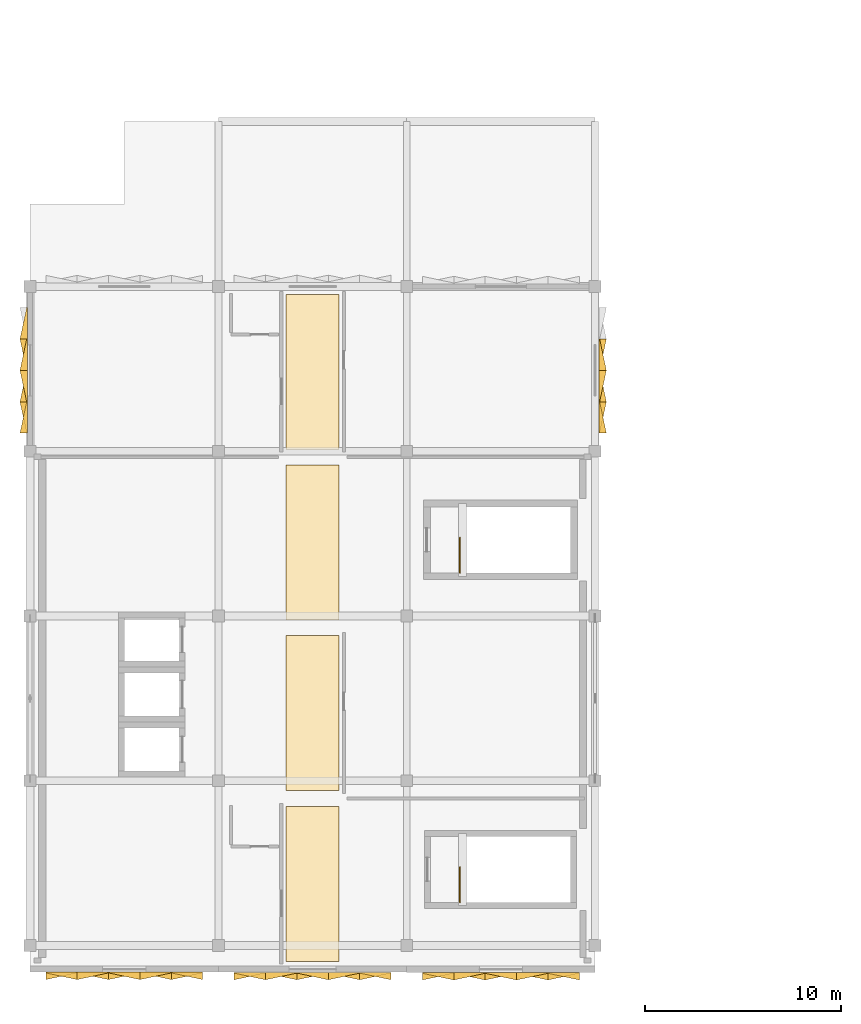
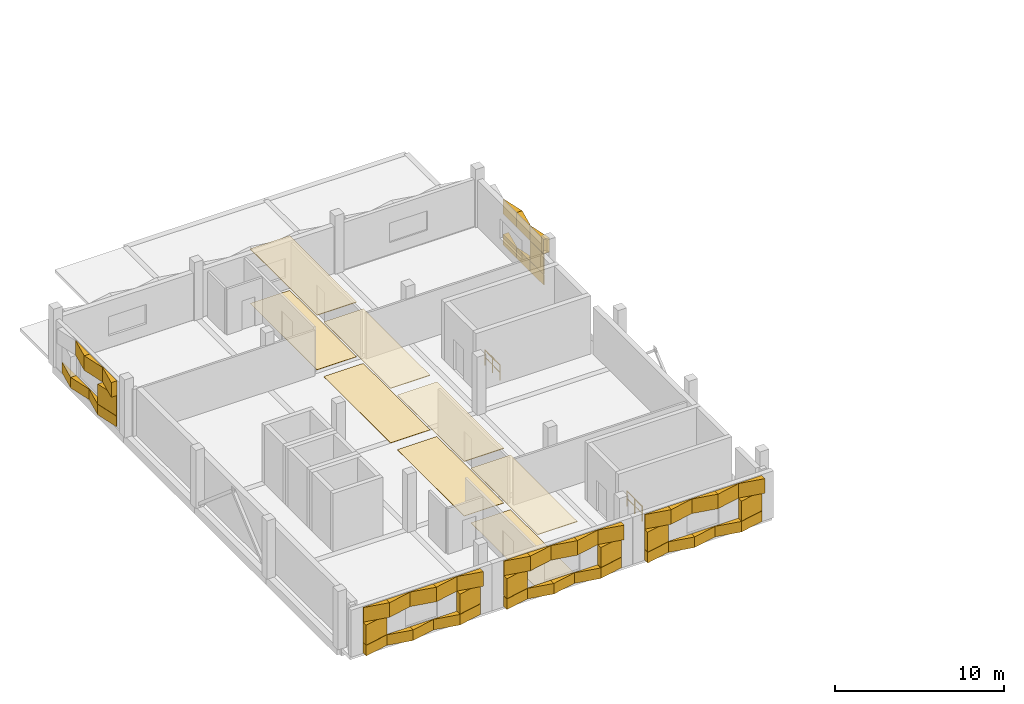
# One storey, part 12 of 18: 59 coverings, 2 railings.
"""IFC4 building model written with IfcOpenShell, lengths in metres."""

from ifc_helpers import new_model, si_unit, direction, frame, origin, origin_2d, place, context, subcontext, project, spatial, polyline, circle, outline, extrude, material, layer, layer_set, type_object, element, save


model = new_model("IFC4")

# Units and contexts
model_context = context("Model", 3, precision=1e-05, world=origin(), true_north=direction((0.0, 1.0)))
body_context = subcontext(model_context, "Body", "Model", "MODEL_VIEW")
ifc_project = project(units=[si_unit("LENGTHUNIT", "METRE"), si_unit("AREAUNIT", "SQUARE_METRE"), si_unit("VOLUMEUNIT", "CUBIC_METRE"), si_unit("PLANEANGLEUNIT", "RADIAN"), si_unit("MASSUNIT", "GRAM", prefix="KILO")], contexts=[model_context])

# Site, building, storey
site_placement = place(None, origin())
site = spatial("IfcSite", under=ifc_project, at=site_placement, CompositionType="ELEMENT")
building_placement = place(site_placement, origin())
building = spatial("IfcBuilding", under=site, at=building_placement, Name="Oolite Switchyard Hospital", CompositionType="ELEMENT")
storey_placement = place(building_placement, frame((0.0, 0.0, 26.199951171875)))
storey = spatial("IfcBuildingStorey", under=building, at=storey_placement, Name="L06", CompositionType="ELEMENT", Elevation=26.199951171875)

# Coverings
ifc_material_1 = material(Name="Hygienic washable mineral-fibre acoustic ceiling")
ifc_layer_1 = layer(ifc_material_1, 0.0400390625)
ifc_layer_set_1 = layer_set([ifc_layer_1], Name="COV-CEIL-AC60")
covering_type_1 = type_object("IfcCoveringType", Name="COV-CEIL-AC60", PredefinedType="CEILING", material=ifc_layer_set_1)
covering_1_placement = place(storey_placement, frame((0.0, 0.0, 3.925048828125)))
element("IfcCovering", 1, at=covering_1_placement, inside=storey, type_object=covering_type_1, Name="L06 West Spine and Orthopedics Ward Corridor Ceiling 1", PredefinedType="CEILING", context=body_context, shape_type="SweptSolid", body=[
    extrude(outline(polyline([(13.050048828125, 41.199951171875), (15.75, 41.199951171875), (15.75, 49.10009765625), (13.050048828125, 49.10009765625), (13.050048828125, 41.199951171875)])), origin(), (0.0, 0.0, 1.0), 0.0400390625),
])
covering_2_placement = place(storey_placement, frame((0.0, 0.0, 3.925048828125)))
element("IfcCovering", 2, at=covering_2_placement, inside=storey, type_object=covering_type_1, Name="L06 West Spine and Orthopedics Ward Corridor Ceiling 2", PredefinedType="CEILING", context=body_context, shape_type="SweptSolid", body=[
    extrude(outline(polyline([(13.050048828125, 49.89990234375), (15.75, 49.89990234375), (15.75, 57.800048828125), (13.050048828125, 57.800048828125), (13.050048828125, 49.89990234375)])), origin(), (0.0, 0.0, 1.0), 0.0400390625),
])
covering_3_placement = place(storey_placement, frame((0.0, 0.0, 3.925048828125)))
element("IfcCovering", 3, at=covering_3_placement, inside=storey, type_object=covering_type_1, Name="L06 West Spine and Orthopedics Ward Corridor Ceiling 3", PredefinedType="CEILING", context=body_context, shape_type="SweptSolid", body=[
    extrude(outline(polyline([(13.050048828125, 58.60009765625), (15.75, 58.60009765625), (15.75, 66.5), (13.050048828125, 66.5), (13.050048828125, 58.60009765625)])), origin(), (0.0, 0.0, 1.0), 0.0400390625),
])
covering_4_placement = place(storey_placement, frame((0.0, 0.0, 3.925048828125)))
element("IfcCovering", 4, at=covering_4_placement, inside=storey, type_object=covering_type_1, Name="L06 West Spine and Orthopedics Ward Corridor Ceiling 4", PredefinedType="CEILING", context=body_context, shape_type="SweptSolid", body=[
    extrude(outline(polyline([(13.050048828125, 67.300048828125), (15.75, 67.300048828125), (15.75, 75.199951171875), (13.050048828125, 75.199951171875), (13.050048828125, 67.300048828125)])), origin(), (0.0, 0.0, 1.0), 0.0400390625),
])
ifc_material_2 = material(Name="Precast oolitic limestone architectural concrete C40/50", Category="masonry")
covering_type_2 = type_object("IfcCoveringType", Name="COV-CHEV-WARM", PredefinedType="CLADDING", material=ifc_material_2)
covering_5_placement = place(storey_placement, frame((8.800048828125, 40.64990234375, 0.050048828125), z_axis=(0.0, 0.0, 1.0), x_axis=(-1.0, 0.0, 0.0)))
element("IfcCovering", 5, at=covering_5_placement, inside=storey, type_object=covering_type_2, Name="L06 Chevron Precast Oolite Panel 1362", PredefinedType="CLADDING", context=body_context, shape_type="SweptSolid", body=[
    extrude(outline(polyline([(0.0, 0.0), (1.60009765625, 0.0), (1.60009765625, 0.385009765625), (0.0, 0.044921875), (0.0, 0.0)])), origin(), (0.0, 0.0, 1.0), 0.760009765625),
])
covering_6_placement = place(storey_placement, frame((8.800048828125, 40.64990234375, 2.2900390625), z_axis=(0.0, 0.0, 1.0), x_axis=(-1.0, 0.0, 0.0)))
element("IfcCovering", 6, at=covering_6_placement, inside=storey, type_object=covering_type_2, Name="L06 Chevron Precast Oolite Panel 1363", PredefinedType="CLADDING", context=body_context, shape_type="SweptSolid", body=[
    extrude(outline(polyline([(0.0, 0.0), (1.60009765625, 0.0), (1.60009765625, 0.044921875), (0.0, 0.385009765625), (0.0, 0.0)])), origin(), (0.0, 0.0, 1.0), 1.050048828125),
])
covering_7_placement = place(storey_placement, frame((8.800048828125, 40.64990234375, 0.830078125), z_axis=(0.0, 0.0, 1.0), x_axis=(-1.0, 0.0, 0.0)))
element("IfcCovering", 7, at=covering_7_placement, inside=storey, type_object=covering_type_2, Name="L06 Chevron Precast Oolite Panel 1364", PredefinedType="CLADDING", context=body_context, shape_type="SweptSolid", body=[
    extrude(outline(polyline([(0.0, 0.0), (1.60009765625, 0.0), (1.60009765625, 0.385009765625), (0.0, 0.044921875), (0.0, 0.0)])), origin(), (0.0, 0.0, 1.0), 1.43994140625),
])
covering_8_placement = place(storey_placement, frame((7.199951171875, 40.64990234375, 0.050048828125), z_axis=(0.0, 0.0, 1.0), x_axis=(-1.0, 0.0, 0.0)))
element("IfcCovering", 8, at=covering_8_placement, inside=storey, type_object=covering_type_2, Name="L06 Chevron Precast Oolite Panel 1365", PredefinedType="CLADDING", context=body_context, shape_type="SweptSolid", body=[
    extrude(outline(polyline([(0.0, 0.0), (1.599853515625, 0.0), (1.599853515625, 0.044921875), (0.0, 0.385009765625), (0.0, 0.0)])), origin(), (0.0, 0.0, 1.0), 0.760009765625),
])
covering_9_placement = place(storey_placement, frame((7.199951171875, 40.64990234375, 2.2900390625), z_axis=(0.0, 0.0, 1.0), x_axis=(-1.0, 0.0, 0.0)))
element("IfcCovering", 9, at=covering_9_placement, inside=storey, type_object=covering_type_2, Name="L06 Chevron Precast Oolite Panel 1366", PredefinedType="CLADDING", context=body_context, shape_type="SweptSolid", body=[
    extrude(outline(polyline([(0.0, 0.0), (1.599853515625, 0.0), (1.599853515625, 0.385009765625), (0.0, 0.044921875), (0.0, 0.0)])), origin(), (0.0, 0.0, 1.0), 1.050048828125),
])
covering_10_placement = place(storey_placement, frame((5.60009765625, 40.64990234375, 0.050048828125), z_axis=(0.0, 0.0, 1.0), x_axis=(-1.0, 0.0, 0.0)))
element("IfcCovering", 10, at=covering_10_placement, inside=storey, type_object=covering_type_2, Name="L06 Chevron Precast Oolite Panel 1367", PredefinedType="CLADDING", context=body_context, shape_type="SweptSolid", body=[
    extrude(outline(polyline([(0.0, 0.0), (1.60009765625, 0.0), (1.60009765625, 0.385009765625), (0.0, 0.044921875), (0.0, 0.0)])), origin(), (0.0, 0.0, 1.0), 0.760009765625),
])
covering_11_placement = place(storey_placement, frame((5.60009765625, 40.64990234375, 2.2900390625), z_axis=(0.0, 0.0, 1.0), x_axis=(-1.0, 0.0, 0.0)))
element("IfcCovering", 11, at=covering_11_placement, inside=storey, type_object=covering_type_2, Name="L06 Chevron Precast Oolite Panel 1368", PredefinedType="CLADDING", context=body_context, shape_type="SweptSolid", body=[
    extrude(outline(polyline([(0.0, 0.0), (1.60009765625, 0.0), (1.60009765625, 0.044921875), (0.0, 0.385009765625), (0.0, 0.0)])), origin(), (0.0, 0.0, 1.0), 1.050048828125),
])
covering_12_placement = place(storey_placement, frame((4.0, 40.64990234375, 0.050048828125), z_axis=(0.0, 0.0, 1.0), x_axis=(-1.0, 0.0, 0.0)))
element("IfcCovering", 12, at=covering_12_placement, inside=storey, type_object=covering_type_2, Name="L06 Chevron Precast Oolite Panel 1369", PredefinedType="CLADDING", context=body_context, shape_type="SweptSolid", body=[
    extrude(outline(polyline([(0.0, 0.0), (1.60009765625, 0.0), (1.60009765625, 0.044921875), (0.0, 0.385009765625), (0.0, 0.0)])), origin(), (0.0, 0.0, 1.0), 0.760009765625),
])
covering_13_placement = place(storey_placement, frame((4.0, 40.64990234375, 2.2900390625), z_axis=(0.0, 0.0, 1.0), x_axis=(-1.0, 0.0, 0.0)))
element("IfcCovering", 13, at=covering_13_placement, inside=storey, type_object=covering_type_2, Name="L06 Chevron Precast Oolite Panel 1370", PredefinedType="CLADDING", context=body_context, shape_type="SweptSolid", body=[
    extrude(outline(polyline([(0.0, 0.0), (1.60009765625, 0.0), (1.60009765625, 0.385009765625), (0.0, 0.044921875), (0.0, 0.0)])), origin(), (0.0, 0.0, 1.0), 1.050048828125),
])
covering_14_placement = place(storey_placement, frame((2.39990234375, 40.64990234375, 0.050048828125), z_axis=(0.0, 0.0, 1.0), x_axis=(-1.0, 0.0, 0.0)))
element("IfcCovering", 14, at=covering_14_placement, inside=storey, type_object=covering_type_2, Name="L06 Chevron Precast Oolite Panel 1371", PredefinedType="CLADDING", context=body_context, shape_type="SweptSolid", body=[
    extrude(outline(polyline([(0.0, 0.0), (1.599853515625, 0.0), (1.599853515625, 0.385009765625), (0.0, 0.044921875), (0.0, 0.0)])), origin(), (0.0, 0.0, 1.0), 0.760009765625),
])
covering_15_placement = place(storey_placement, frame((2.39990234375, 40.64990234375, 2.2900390625), z_axis=(0.0, 0.0, 1.0), x_axis=(-1.0, 0.0, 0.0)))
element("IfcCovering", 15, at=covering_15_placement, inside=storey, type_object=covering_type_2, Name="L06 Chevron Precast Oolite Panel 1372", PredefinedType="CLADDING", context=body_context, shape_type="SweptSolid", body=[
    extrude(outline(polyline([(0.0, 0.0), (1.599853515625, 0.0), (1.599853515625, 0.044921875), (0.0, 0.385009765625), (0.0, 0.0)])), origin(), (0.0, 0.0, 1.0), 1.050048828125),
])
covering_16_placement = place(storey_placement, frame((2.39990234375, 40.64990234375, 0.830078125), z_axis=(0.0, 0.0, 1.0), x_axis=(-1.0, 0.0, 0.0)))
element("IfcCovering", 16, at=covering_16_placement, inside=storey, type_object=covering_type_2, Name="L06 Chevron Precast Oolite Panel 1373", PredefinedType="CLADDING", context=body_context, shape_type="SweptSolid", body=[
    extrude(outline(polyline([(0.0, 0.0), (1.599853515625, 0.0), (1.599853515625, 0.385009765625), (0.0, 0.044921875), (0.0, 0.0)])), origin(), (0.0, 0.0, 1.0), 1.43994140625),
])
covering_17_placement = place(storey_placement, frame((18.39990234375, 40.639892578125, 0.050048828125), z_axis=(0.0, 0.0, 1.0), x_axis=(-1.0, 0.0, 0.0)))
element("IfcCovering", 17, at=covering_17_placement, inside=storey, type_object=covering_type_2, Name="L06 Chevron Precast Oolite Panel 1374", PredefinedType="CLADDING", context=body_context, shape_type="SweptSolid", body=[
    extrude(outline(polyline([(0.0, 0.0), (1.599853515625, 0.0), (1.599853515625, 0.385009765625), (0.0, 0.044921875), (0.0, 0.0)])), origin(), (0.0, 0.0, 1.0), 0.760009765625),
])
covering_18_placement = place(storey_placement, frame((18.39990234375, 40.639892578125, 2.2900390625), z_axis=(0.0, 0.0, 1.0), x_axis=(-1.0, 0.0, 0.0)))
element("IfcCovering", 18, at=covering_18_placement, inside=storey, type_object=covering_type_2, Name="L06 Chevron Precast Oolite Panel 1375", PredefinedType="CLADDING", context=body_context, shape_type="SweptSolid", body=[
    extrude(outline(polyline([(0.0, 0.0), (1.599853515625, 0.0), (1.599853515625, 0.044921875), (0.0, 0.385009765625), (0.0, 0.0)])), origin(), (0.0, 0.0, 1.0), 1.050048828125),
])
covering_19_placement = place(storey_placement, frame((18.39990234375, 40.639892578125, 0.830078125), z_axis=(0.0, 0.0, 1.0), x_axis=(-1.0, 0.0, 0.0)))
element("IfcCovering", 19, at=covering_19_placement, inside=storey, type_object=covering_type_2, Name="L06 Chevron Precast Oolite Panel 1376", PredefinedType="CLADDING", context=body_context, shape_type="SweptSolid", body=[
    extrude(outline(polyline([(0.0, 0.0), (1.599853515625, 0.0), (1.599853515625, 0.385009765625), (0.0, 0.044921875), (0.0, 0.0)])), origin(), (0.0, 0.0, 1.0), 1.43994140625),
])
covering_20_placement = place(storey_placement, frame((16.800048828125, 40.639892578125, 0.050048828125), z_axis=(0.0, 0.0, 1.0), x_axis=(-1.0, 0.0, 0.0)))
element("IfcCovering", 20, at=covering_20_placement, inside=storey, type_object=covering_type_2, Name="L06 Chevron Precast Oolite Panel 1377", PredefinedType="CLADDING", context=body_context, shape_type="SweptSolid", body=[
    extrude(outline(polyline([(0.0, 0.0), (1.60009765625, 0.0), (1.60009765625, 0.044921875), (0.0, 0.385009765625), (0.0, 0.0)])), origin(), (0.0, 0.0, 1.0), 0.760009765625),
])
covering_21_placement = place(storey_placement, frame((16.800048828125, 40.639892578125, 2.2900390625), z_axis=(0.0, 0.0, 1.0), x_axis=(-1.0, 0.0, 0.0)))
element("IfcCovering", 21, at=covering_21_placement, inside=storey, type_object=covering_type_2, Name="L06 Chevron Precast Oolite Panel 1378", PredefinedType="CLADDING", context=body_context, shape_type="SweptSolid", body=[
    extrude(outline(polyline([(0.0, 0.0), (1.60009765625, 0.0), (1.60009765625, 0.385009765625), (0.0, 0.044921875), (0.0, 0.0)])), origin(), (0.0, 0.0, 1.0), 1.050048828125),
])
covering_22_placement = place(storey_placement, frame((15.199951171875, 40.639892578125, 0.050048828125), z_axis=(0.0, 0.0, 1.0), x_axis=(-1.0, 0.0, 0.0)))
element("IfcCovering", 22, at=covering_22_placement, inside=storey, type_object=covering_type_2, Name="L06 Chevron Precast Oolite Panel 1379", PredefinedType="CLADDING", context=body_context, shape_type="SweptSolid", body=[
    extrude(outline(polyline([(0.0, 0.0), (1.599853515625, 0.0), (1.599853515625, 0.385009765625), (0.0, 0.044921875), (0.0, 0.0)])), origin(), (0.0, 0.0, 1.0), 0.760009765625),
])
covering_23_placement = place(storey_placement, frame((15.199951171875, 40.639892578125, 2.2900390625), z_axis=(0.0, 0.0, 1.0), x_axis=(-1.0, 0.0, 0.0)))
element("IfcCovering", 23, at=covering_23_placement, inside=storey, type_object=covering_type_2, Name="L06 Chevron Precast Oolite Panel 1380", PredefinedType="CLADDING", context=body_context, shape_type="SweptSolid", body=[
    extrude(outline(polyline([(0.0, 0.0), (1.599853515625, 0.0), (1.599853515625, 0.044921875), (0.0, 0.385009765625), (0.0, 0.0)])), origin(), (0.0, 0.0, 1.0), 1.050048828125),
])
covering_24_placement = place(storey_placement, frame((13.60009765625, 40.639892578125, 0.050048828125), z_axis=(0.0, 0.0, 1.0), x_axis=(-1.0, 0.0, 0.0)))
element("IfcCovering", 24, at=covering_24_placement, inside=storey, type_object=covering_type_2, Name="L06 Chevron Precast Oolite Panel 1381", PredefinedType="CLADDING", context=body_context, shape_type="SweptSolid", body=[
    extrude(outline(polyline([(0.0, 0.0), (1.60009765625, 0.0), (1.60009765625, 0.044921875), (0.0, 0.385009765625), (0.0, 0.0)])), origin(), (0.0, 0.0, 1.0), 0.760009765625),
])
covering_25_placement = place(storey_placement, frame((13.60009765625, 40.639892578125, 2.2900390625), z_axis=(0.0, 0.0, 1.0), x_axis=(-1.0, 0.0, 0.0)))
element("IfcCovering", 25, at=covering_25_placement, inside=storey, type_object=covering_type_2, Name="L06 Chevron Precast Oolite Panel 1382", PredefinedType="CLADDING", context=body_context, shape_type="SweptSolid", body=[
    extrude(outline(polyline([(0.0, 0.0), (1.60009765625, 0.0), (1.60009765625, 0.385009765625), (0.0, 0.044921875), (0.0, 0.0)])), origin(), (0.0, 0.0, 1.0), 1.050048828125),
])
covering_26_placement = place(storey_placement, frame((12.0, 40.639892578125, 0.050048828125), z_axis=(0.0, 0.0, 1.0), x_axis=(-1.0, 0.0, 0.0)))
element("IfcCovering", 26, at=covering_26_placement, inside=storey, type_object=covering_type_2, Name="L06 Chevron Precast Oolite Panel 1383", PredefinedType="CLADDING", context=body_context, shape_type="SweptSolid", body=[
    extrude(outline(polyline([(0.0, 0.0), (1.60009765625, 0.0), (1.60009765625, 0.385009765625), (0.0, 0.044921875), (0.0, 0.0)])), origin(), (0.0, 0.0, 1.0), 0.760009765625),
])
covering_27_placement = place(storey_placement, frame((12.0, 40.639892578125, 2.2900390625), z_axis=(0.0, 0.0, 1.0), x_axis=(-1.0, 0.0, 0.0)))
element("IfcCovering", 27, at=covering_27_placement, inside=storey, type_object=covering_type_2, Name="L06 Chevron Precast Oolite Panel 1384", PredefinedType="CLADDING", context=body_context, shape_type="SweptSolid", body=[
    extrude(outline(polyline([(0.0, 0.0), (1.60009765625, 0.0), (1.60009765625, 0.044921875), (0.0, 0.385009765625), (0.0, 0.0)])), origin(), (0.0, 0.0, 1.0), 1.050048828125),
])
covering_28_placement = place(storey_placement, frame((12.0, 40.639892578125, 0.830078125), z_axis=(0.0, 0.0, 1.0), x_axis=(-1.0, 0.0, 0.0)))
element("IfcCovering", 28, at=covering_28_placement, inside=storey, type_object=covering_type_2, Name="L06 Chevron Precast Oolite Panel 1385", PredefinedType="CLADDING", context=body_context, shape_type="SweptSolid", body=[
    extrude(outline(polyline([(0.0, 0.0), (1.60009765625, 0.0), (1.60009765625, 0.385009765625), (0.0, 0.044921875), (0.0, 0.0)])), origin(), (0.0, 0.0, 1.0), 1.43994140625),
])
covering_29_placement = place(storey_placement, frame((28.0, 40.6298828125, 0.050048828125), z_axis=(0.0, 0.0, 1.0), x_axis=(-1.0, 0.0, 0.0)))
element("IfcCovering", 29, at=covering_29_placement, inside=storey, type_object=covering_type_2, Name="L06 Chevron Precast Oolite Panel 1386", PredefinedType="CLADDING", context=body_context, shape_type="SweptSolid", body=[
    extrude(outline(polyline([(0.0, 0.0), (1.60009765625, 0.0), (1.60009765625, 0.385009765625), (0.0, 0.044921875), (0.0, 0.0)])), origin(), (0.0, 0.0, 1.0), 0.760009765625),
])
covering_30_placement = place(storey_placement, frame((28.0, 40.6298828125, 2.2900390625), z_axis=(0.0, 0.0, 1.0), x_axis=(-1.0, 0.0, 0.0)))
element("IfcCovering", 30, at=covering_30_placement, inside=storey, type_object=covering_type_2, Name="L06 Chevron Precast Oolite Panel 1387", PredefinedType="CLADDING", context=body_context, shape_type="SweptSolid", body=[
    extrude(outline(polyline([(0.0, 0.0), (1.60009765625, 0.0), (1.60009765625, 0.044921875), (0.0, 0.385009765625), (0.0, 0.0)])), origin(), (0.0, 0.0, 1.0), 1.050048828125),
])
covering_31_placement = place(storey_placement, frame((28.0, 40.6298828125, 0.830078125), z_axis=(0.0, 0.0, 1.0), x_axis=(-1.0, 0.0, 0.0)))
element("IfcCovering", 31, at=covering_31_placement, inside=storey, type_object=covering_type_2, Name="L06 Chevron Precast Oolite Panel 1388", PredefinedType="CLADDING", context=body_context, shape_type="SweptSolid", body=[
    extrude(outline(polyline([(0.0, 0.0), (1.60009765625, 0.0), (1.60009765625, 0.385009765625), (0.0, 0.044921875), (0.0, 0.0)])), origin(), (0.0, 0.0, 1.0), 1.43994140625),
])
covering_32_placement = place(storey_placement, frame((26.39990234375, 40.6298828125, 0.050048828125), z_axis=(0.0, 0.0, 1.0), x_axis=(-1.0, 0.0, 0.0)))
element("IfcCovering", 32, at=covering_32_placement, inside=storey, type_object=covering_type_2, Name="L06 Chevron Precast Oolite Panel 1389", PredefinedType="CLADDING", context=body_context, shape_type="SweptSolid", body=[
    extrude(outline(polyline([(0.0, 0.0), (1.599853515625, 0.0), (1.599853515625, 0.044921875), (0.0, 0.385009765625), (0.0, 0.0)])), origin(), (0.0, 0.0, 1.0), 0.760009765625),
])
covering_33_placement = place(storey_placement, frame((26.39990234375, 40.6298828125, 2.2900390625), z_axis=(0.0, 0.0, 1.0), x_axis=(-1.0, 0.0, 0.0)))
element("IfcCovering", 33, at=covering_33_placement, inside=storey, type_object=covering_type_2, Name="L06 Chevron Precast Oolite Panel 1390", PredefinedType="CLADDING", context=body_context, shape_type="SweptSolid", body=[
    extrude(outline(polyline([(0.0, 0.0), (1.599853515625, 0.0), (1.599853515625, 0.385009765625), (0.0, 0.044921875), (0.0, 0.0)])), origin(), (0.0, 0.0, 1.0), 1.050048828125),
])
covering_34_placement = place(storey_placement, frame((24.800048828125, 40.6298828125, 0.050048828125), z_axis=(0.0, 0.0, 1.0), x_axis=(-1.0, 0.0, 0.0)))
element("IfcCovering", 34, at=covering_34_placement, inside=storey, type_object=covering_type_2, Name="L06 Chevron Precast Oolite Panel 1391", PredefinedType="CLADDING", context=body_context, shape_type="SweptSolid", body=[
    extrude(outline(polyline([(0.0, 0.0), (1.60009765625, 0.0), (1.60009765625, 0.385009765625), (0.0, 0.044921875), (0.0, 0.0)])), origin(), (0.0, 0.0, 1.0), 0.760009765625),
])
covering_35_placement = place(storey_placement, frame((24.800048828125, 40.6298828125, 2.2900390625), z_axis=(0.0, 0.0, 1.0), x_axis=(-1.0, 0.0, 0.0)))
element("IfcCovering", 35, at=covering_35_placement, inside=storey, type_object=covering_type_2, Name="L06 Chevron Precast Oolite Panel 1392", PredefinedType="CLADDING", context=body_context, shape_type="SweptSolid", body=[
    extrude(outline(polyline([(0.0, 0.0), (1.60009765625, 0.0), (1.60009765625, 0.044921875), (0.0, 0.385009765625), (0.0, 0.0)])), origin(), (0.0, 0.0, 1.0), 1.050048828125),
])
covering_36_placement = place(storey_placement, frame((23.199951171875, 40.6298828125, 0.050048828125), z_axis=(0.0, 0.0, 1.0), x_axis=(-1.0, 0.0, 0.0)))
element("IfcCovering", 36, at=covering_36_placement, inside=storey, type_object=covering_type_2, Name="L06 Chevron Precast Oolite Panel 1393", PredefinedType="CLADDING", context=body_context, shape_type="SweptSolid", body=[
    extrude(outline(polyline([(0.0, 0.0), (1.599853515625, 0.0), (1.599853515625, 0.044921875), (0.0, 0.385009765625), (0.0, 0.0)])), origin(), (0.0, 0.0, 1.0), 0.760009765625),
])
covering_37_placement = place(storey_placement, frame((23.199951171875, 40.6298828125, 2.2900390625), z_axis=(0.0, 0.0, 1.0), x_axis=(-1.0, 0.0, 0.0)))
element("IfcCovering", 37, at=covering_37_placement, inside=storey, type_object=covering_type_2, Name="L06 Chevron Precast Oolite Panel 1394", PredefinedType="CLADDING", context=body_context, shape_type="SweptSolid", body=[
    extrude(outline(polyline([(0.0, 0.0), (1.599853515625, 0.0), (1.599853515625, 0.385009765625), (0.0, 0.044921875), (0.0, 0.0)])), origin(), (0.0, 0.0, 1.0), 1.050048828125),
])
covering_38_placement = place(storey_placement, frame((21.60009765625, 40.6298828125, 0.050048828125), z_axis=(0.0, 0.0, 1.0), x_axis=(-1.0, 0.0, 0.0)))
element("IfcCovering", 38, at=covering_38_placement, inside=storey, type_object=covering_type_2, Name="L06 Chevron Precast Oolite Panel 1395", PredefinedType="CLADDING", context=body_context, shape_type="SweptSolid", body=[
    extrude(outline(polyline([(0.0, 0.0), (1.60009765625, 0.0), (1.60009765625, 0.385009765625), (0.0, 0.044921875), (0.0, 0.0)])), origin(), (0.0, 0.0, 1.0), 0.760009765625),
])
covering_39_placement = place(storey_placement, frame((21.60009765625, 40.6298828125, 2.2900390625), z_axis=(0.0, 0.0, 1.0), x_axis=(-1.0, 0.0, 0.0)))
element("IfcCovering", 39, at=covering_39_placement, inside=storey, type_object=covering_type_2, Name="L06 Chevron Precast Oolite Panel 1396", PredefinedType="CLADDING", context=body_context, shape_type="SweptSolid", body=[
    extrude(outline(polyline([(0.0, 0.0), (1.60009765625, 0.0), (1.60009765625, 0.044921875), (0.0, 0.385009765625), (0.0, 0.0)])), origin(), (0.0, 0.0, 1.0), 1.050048828125),
])
covering_40_placement = place(storey_placement, frame((21.60009765625, 40.6298828125, 0.830078125), z_axis=(0.0, 0.0, 1.0), x_axis=(-1.0, 0.0, 0.0)))
element("IfcCovering", 40, at=covering_40_placement, inside=storey, type_object=covering_type_2, Name="L06 Chevron Precast Oolite Panel 1397", PredefinedType="CLADDING", context=body_context, shape_type="SweptSolid", body=[
    extrude(outline(polyline([(0.0, 0.0), (1.60009765625, 0.0), (1.60009765625, 0.385009765625), (0.0, 0.044921875), (0.0, 0.0)])), origin(), (0.0, 0.0, 1.0), 1.43994140625),
])
covering_41_placement = place(storey_placement, frame((-0.1298828125, 68.1201171875, 0.050048828125), z_axis=(0.0, 0.0, 1.0), x_axis=(0.0, 1.0, 0.0)))
element("IfcCovering", 41, at=covering_41_placement, inside=storey, type_object=covering_type_2, Name="L06 Chevron Precast Oolite Panel 1575", PredefinedType="CLADDING", context=body_context, shape_type="SweptSolid", body=[
    extrude(outline(polyline([(0.0, 0.0), (1.599853515625, 0.0), (1.599853515625, 0.385009765625), (0.0, 0.044921875), (0.0, 0.0)])), origin(), (0.0, 0.0, 1.0), 0.760009765625),
])
covering_42_placement = place(storey_placement, frame((-0.1298828125, 68.1201171875, 2.2900390625), z_axis=(0.0, 0.0, 1.0), x_axis=(0.0, 1.0, 0.0)))
element("IfcCovering", 42, at=covering_42_placement, inside=storey, type_object=covering_type_2, Name="L06 Chevron Precast Oolite Panel 1576", PredefinedType="CLADDING", context=body_context, shape_type="SweptSolid", body=[
    extrude(outline(polyline([(0.0, 0.0), (1.599853515625, 0.0), (1.599853515625, 0.044921875), (0.0, 0.385009765625), (0.0, 0.0)])), origin(), (0.0, 0.0, 1.0), 1.050048828125),
])
covering_43_placement = place(storey_placement, frame((-0.1298828125, 68.1201171875, 0.830078125), z_axis=(0.0, 0.0, 1.0), x_axis=(0.0, 1.0, 0.0)))
element("IfcCovering", 43, at=covering_43_placement, inside=storey, type_object=covering_type_2, Name="L06 Chevron Precast Oolite Panel 1577", PredefinedType="CLADDING", context=body_context, shape_type="SweptSolid", body=[
    extrude(outline(polyline([(0.0, 0.0), (1.599853515625, 0.0), (1.599853515625, 0.385009765625), (0.0, 0.044921875), (0.0, 0.0)])), origin(), (0.0, 0.0, 1.0), 1.43994140625),
])
covering_44_placement = place(storey_placement, frame((-0.1298828125, 69.719970703125, 0.050048828125), z_axis=(0.0, 0.0, 1.0), x_axis=(0.0, 1.0, 0.0)))
element("IfcCovering", 44, at=covering_44_placement, inside=storey, type_object=covering_type_2, Name="L06 Chevron Precast Oolite Panel 1578", PredefinedType="CLADDING", context=body_context, shape_type="SweptSolid", body=[
    extrude(outline(polyline([(0.0, 0.0), (1.60009765625, 0.0), (1.60009765625, 0.044921875), (0.0, 0.385009765625), (0.0, 0.0)])), origin(), (0.0, 0.0, 1.0), 0.760009765625),
])
covering_45_placement = place(storey_placement, frame((-0.1298828125, 69.719970703125, 2.2900390625), z_axis=(0.0, 0.0, 1.0), x_axis=(0.0, 1.0, 0.0)))
element("IfcCovering", 45, at=covering_45_placement, inside=storey, type_object=covering_type_2, Name="L06 Chevron Precast Oolite Panel 1579", PredefinedType="CLADDING", context=body_context, shape_type="SweptSolid", body=[
    extrude(outline(polyline([(0.0, 0.0), (1.60009765625, 0.0), (1.60009765625, 0.385009765625), (0.0, 0.044921875), (0.0, 0.0)])), origin(), (0.0, 0.0, 1.0), 1.050048828125),
])
covering_46_placement = place(storey_placement, frame((-0.1298828125, 71.320068359375, 0.050048828125), z_axis=(0.0, 0.0, 1.0), x_axis=(0.0, 1.0, 0.0)))
element("IfcCovering", 46, at=covering_46_placement, inside=storey, type_object=covering_type_2, Name="L06 Chevron Precast Oolite Panel 1580", PredefinedType="CLADDING", context=body_context, shape_type="SweptSolid", body=[
    extrude(outline(polyline([(0.0, 0.0), (1.599853515625, 0.0), (1.599853515625, 0.385009765625), (0.0, 0.044921875), (0.0, 0.0)])), origin(), (0.0, 0.0, 1.0), 0.760009765625),
])
covering_47_placement = place(storey_placement, frame((-0.1298828125, 71.320068359375, 2.2900390625), z_axis=(0.0, 0.0, 1.0), x_axis=(0.0, 1.0, 0.0)))
element("IfcCovering", 47, at=covering_47_placement, inside=storey, type_object=covering_type_2, Name="L06 Chevron Precast Oolite Panel 1581", PredefinedType="CLADDING", context=body_context, shape_type="SweptSolid", body=[
    extrude(outline(polyline([(0.0, 0.0), (1.599853515625, 0.0), (1.599853515625, 0.044921875), (0.0, 0.385009765625), (0.0, 0.0)])), origin(), (0.0, 0.0, 1.0), 1.050048828125),
])
covering_48_placement = place(storey_placement, frame((-0.1298828125, 72.919921875, 0.050048828125), z_axis=(0.0, 0.0, 1.0), x_axis=(0.0, 1.0, 0.0)))
element("IfcCovering", 48, at=covering_48_placement, inside=storey, type_object=covering_type_2, Name="L06 Chevron Precast Oolite Panel 1582", PredefinedType="CLADDING", context=body_context, shape_type="SweptSolid", body=[
    extrude(outline(polyline([(0.0, 0.0), (1.60009765625, 0.0), (1.60009765625, 0.044921875), (0.0, 0.385009765625), (0.0, 0.0)])), origin(), (0.0, 0.0, 1.0), 0.760009765625),
])
covering_49_placement = place(storey_placement, frame((28.989990234375, 72.919921875, 0.050048828125), z_axis=(0.0, 0.0, 1.0), x_axis=(0.0, -1.0, 0.0)))
element("IfcCovering", 49, at=covering_49_placement, inside=storey, type_object=covering_type_2, Name="L06 Chevron Precast Oolite Panel 1588", PredefinedType="CLADDING", context=body_context, shape_type="SweptSolid", body=[
    extrude(outline(polyline([(0.0, 0.0), (1.599853515625, 0.0), (1.599853515625, 0.044921875), (0.0, 0.385009765625), (0.0, 0.0)])), origin(), (0.0, 0.0, 1.0), 0.760009765625),
])
covering_50_placement = place(storey_placement, frame((28.989990234375, 72.919921875, 2.2900390625), z_axis=(0.0, 0.0, 1.0), x_axis=(0.0, -1.0, 0.0)))
element("IfcCovering", 50, at=covering_50_placement, inside=storey, type_object=covering_type_2, Name="L06 Chevron Precast Oolite Panel 1589", PredefinedType="CLADDING", context=body_context, shape_type="SweptSolid", body=[
    extrude(outline(polyline([(0.0, 0.0), (1.599853515625, 0.0), (1.599853515625, 0.385009765625), (0.0, 0.044921875), (0.0, 0.0)])), origin(), (0.0, 0.0, 1.0), 1.050048828125),
])
covering_51_placement = place(storey_placement, frame((28.989990234375, 71.320068359375, 0.050048828125), z_axis=(0.0, 0.0, 1.0), x_axis=(0.0, -1.0, 0.0)))
element("IfcCovering", 51, at=covering_51_placement, inside=storey, type_object=covering_type_2, Name="L06 Chevron Precast Oolite Panel 1590", PredefinedType="CLADDING", context=body_context, shape_type="SweptSolid", body=[
    extrude(outline(polyline([(0.0, 0.0), (1.60009765625, 0.0), (1.60009765625, 0.385009765625), (0.0, 0.044921875), (0.0, 0.0)])), origin(), (0.0, 0.0, 1.0), 0.760009765625),
])
covering_52_placement = place(storey_placement, frame((28.989990234375, 71.320068359375, 2.2900390625), z_axis=(0.0, 0.0, 1.0), x_axis=(0.0, -1.0, 0.0)))
element("IfcCovering", 52, at=covering_52_placement, inside=storey, type_object=covering_type_2, Name="L06 Chevron Precast Oolite Panel 1591", PredefinedType="CLADDING", context=body_context, shape_type="SweptSolid", body=[
    extrude(outline(polyline([(0.0, 0.0), (1.60009765625, 0.0), (1.60009765625, 0.044921875), (0.0, 0.385009765625), (0.0, 0.0)])), origin(), (0.0, 0.0, 1.0), 1.050048828125),
])
covering_53_placement = place(storey_placement, frame((28.989990234375, 69.719970703125, 0.050048828125), z_axis=(0.0, 0.0, 1.0), x_axis=(0.0, -1.0, 0.0)))
element("IfcCovering", 53, at=covering_53_placement, inside=storey, type_object=covering_type_2, Name="L06 Chevron Precast Oolite Panel 1592", PredefinedType="CLADDING", context=body_context, shape_type="SweptSolid", body=[
    extrude(outline(polyline([(0.0, 0.0), (1.599853515625, 0.0), (1.599853515625, 0.044921875), (0.0, 0.385009765625), (0.0, 0.0)])), origin(), (0.0, 0.0, 1.0), 0.760009765625),
])
covering_54_placement = place(storey_placement, frame((28.989990234375, 69.719970703125, 2.2900390625), z_axis=(0.0, 0.0, 1.0), x_axis=(0.0, -1.0, 0.0)))
element("IfcCovering", 54, at=covering_54_placement, inside=storey, type_object=covering_type_2, Name="L06 Chevron Precast Oolite Panel 1593", PredefinedType="CLADDING", context=body_context, shape_type="SweptSolid", body=[
    extrude(outline(polyline([(0.0, 0.0), (1.599853515625, 0.0), (1.599853515625, 0.385009765625), (0.0, 0.044921875), (0.0, 0.0)])), origin(), (0.0, 0.0, 1.0), 1.050048828125),
])
covering_55_placement = place(storey_placement, frame((28.989990234375, 69.719970703125, 0.830078125), z_axis=(0.0, 0.0, 1.0), x_axis=(0.0, -1.0, 0.0)))
element("IfcCovering", 55, at=covering_55_placement, inside=storey, type_object=covering_type_2, Name="L06 Chevron Precast Oolite Panel 1594", PredefinedType="CLADDING", context=body_context, shape_type="SweptSolid", body=[
    extrude(outline(polyline([(0.0, 0.0), (1.599853515625, 0.0), (1.599853515625, 0.044921875), (0.0, 0.385009765625), (0.0, 0.0)])), origin(), (0.0, 0.0, 1.0), 1.43994140625),
])
ifc_material_3 = material(Name="Epoxy terrazzo seamless clinical flooring")
ifc_layer_2 = layer(ifc_material_3, 0.02001953125)
ifc_layer_set_2 = layer_set([ifc_layer_2], Name="COV-FLR-TER20")
covering_type_3 = type_object("IfcCoveringType", Name="COV-FLR-TER20", PredefinedType="FLOORING", material=ifc_layer_set_2)
covering_56_placement = place(storey_placement, origin())
element("IfcCovering", 56, at=covering_56_placement, inside=storey, type_object=covering_type_3, Name="L06 West Spine and Orthopedics Ward Corridor Flooring 1", PredefinedType="FLOORING", context=body_context, shape_type="SweptSolid", body=[
    extrude(outline(polyline([(13.050048828125, 41.199951171875), (15.75, 41.199951171875), (15.75, 49.10009765625), (13.050048828125, 49.10009765625), (13.050048828125, 41.199951171875)])), origin(), (0.0, 0.0, 1.0), 0.02001953125),
])
covering_57_placement = place(storey_placement, origin())
element("IfcCovering", 57, at=covering_57_placement, inside=storey, type_object=covering_type_3, Name="L06 West Spine and Orthopedics Ward Corridor Flooring 2", PredefinedType="FLOORING", context=body_context, shape_type="SweptSolid", body=[
    extrude(outline(polyline([(13.050048828125, 49.89990234375), (15.75, 49.89990234375), (15.75, 57.800048828125), (13.050048828125, 57.800048828125), (13.050048828125, 49.89990234375)])), origin(), (0.0, 0.0, 1.0), 0.02001953125),
])
covering_58_placement = place(storey_placement, origin())
element("IfcCovering", 58, at=covering_58_placement, inside=storey, type_object=covering_type_3, Name="L06 West Spine and Orthopedics Ward Corridor Flooring 3", PredefinedType="FLOORING", context=body_context, shape_type="SweptSolid", body=[
    extrude(outline(polyline([(13.050048828125, 58.60009765625), (15.75, 58.60009765625), (15.75, 66.5), (13.050048828125, 66.5), (13.050048828125, 58.60009765625)])), origin(), (0.0, 0.0, 1.0), 0.02001953125),
])
covering_59_placement = place(storey_placement, origin())
element("IfcCovering", 59, at=covering_59_placement, inside=storey, type_object=covering_type_3, Name="L06 West Spine and Orthopedics Ward Corridor Flooring 4", PredefinedType="FLOORING", context=body_context, shape_type="SweptSolid", body=[
    extrude(outline(polyline([(13.050048828125, 67.300048828125), (15.75, 67.300048828125), (15.75, 75.199951171875), (13.050048828125, 75.199951171875), (13.050048828125, 67.300048828125)])), origin(), (0.0, 0.0, 1.0), 0.02001953125),
])

# Railings
ifc_material_4 = material(Name="Galvanized painted architectural steel handrail", Category="steel")
railing_type = type_object("IfcRailingType", Name="RL-STAIR-GRD", PredefinedType="GUARDRAIL", material=ifc_material_4)
for number, where, name in (
    (60, (21.909912109375, 44.199951171875, 0.0), "L06 ST-01 top well guard 1"),
    (61, (21.909912109375, 61.0, 0.0), "L06 ST-02 top well guard 1"),
):
    element("IfcRailing", number, at=place(storey_placement, frame(where)), inside=storey, type_object=railing_type, Name=name, PredefinedType="GUARDRAIL", context=body_context, shape_type="SweptSolid", body=[
        extrude(circle(Radius=0.02392578125, at=origin_2d()), frame((0.0, 0.0, 1.076171875), z_axis=(0.0, 1.0, 0.0), x_axis=(-1.0, 0.0, 0.0)), (0.0, 0.0, 1.0), 1.800048828125),
        extrude(circle(Radius=0.015625, at=origin_2d()), frame((0.0, 0.0, 0.550048828125), z_axis=(0.0, 1.0, 0.0), x_axis=(-1.0, 0.0, 0.0)), (0.0, 0.0, 1.0), 1.800048828125),
        extrude(circle(Radius=0.02099609375, at=origin_2d()), origin(), (0.0, 0.0, 1.0), 1.052001953125),
        extrude(circle(Radius=0.02099609375, at=origin_2d()), frame((0.0, 0.89990234375, 0.0)), (0.0, 0.0, 1.0), 1.052001953125),
        extrude(circle(Radius=0.02099609375, at=origin_2d()), frame((0.0, 1.800048828125, 0.0)), (0.0, 0.0, 1.0), 1.052001953125),
    ])

save(model, "model.ifc")
